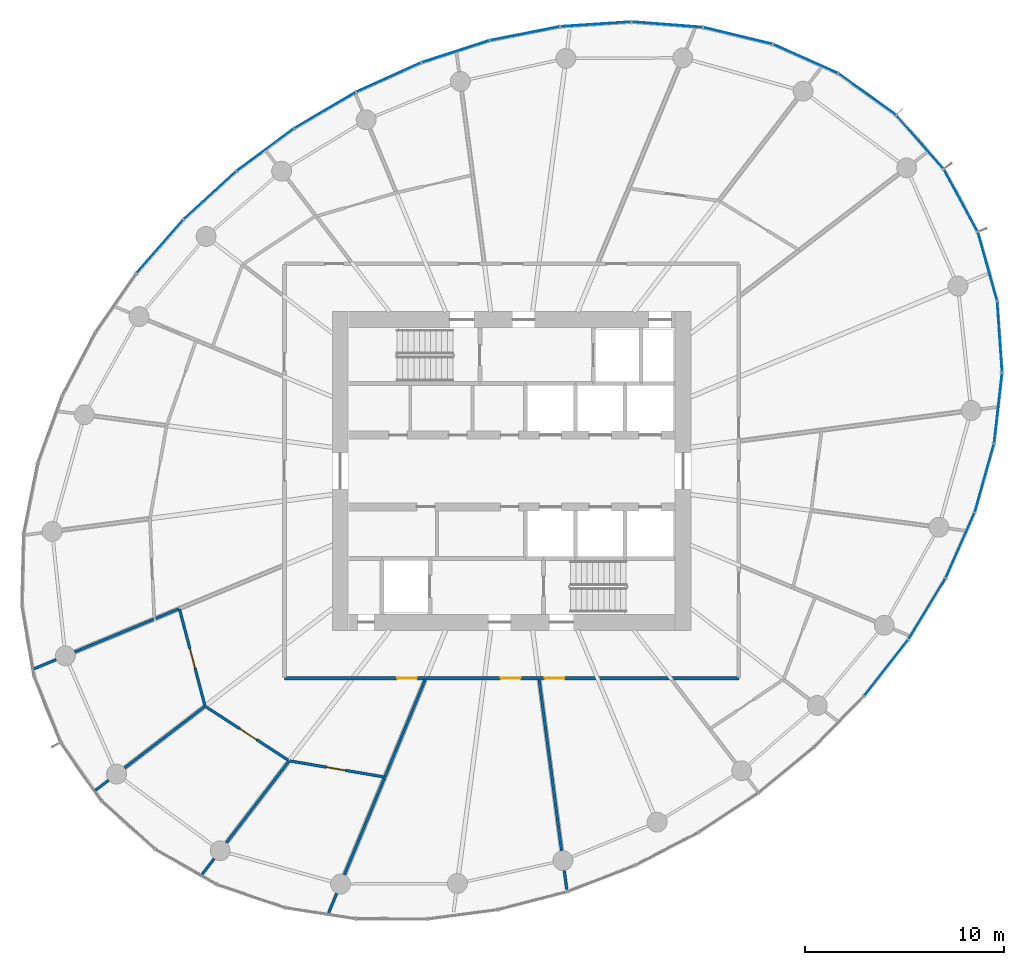
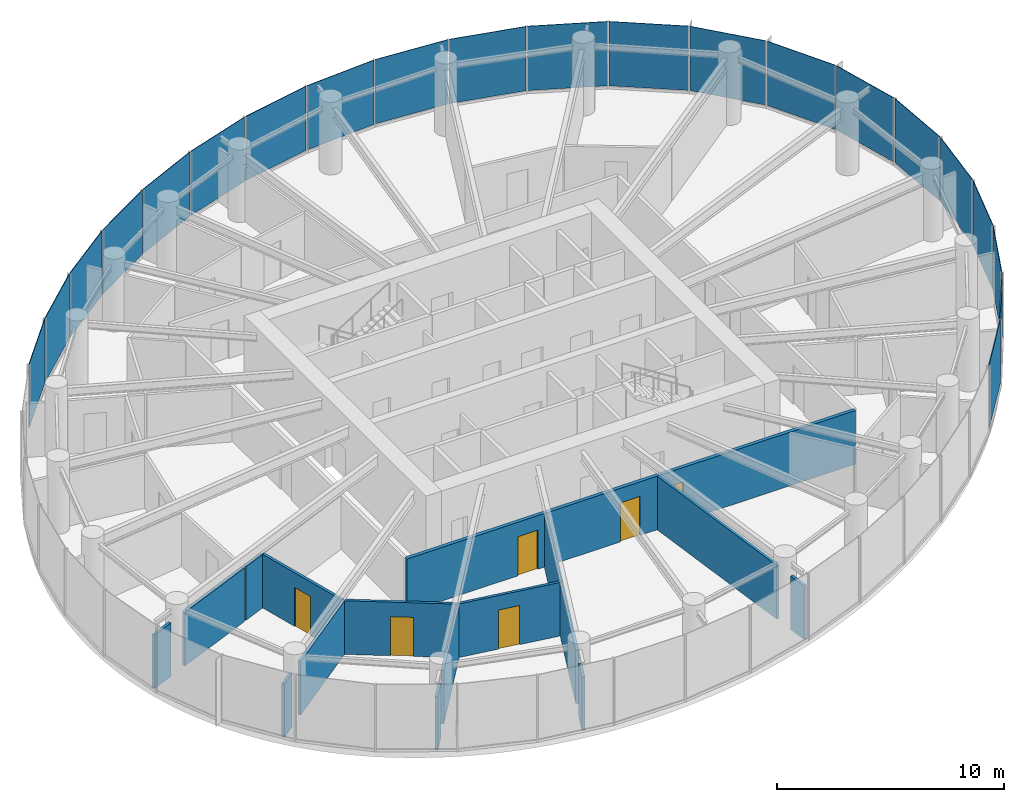
# One storey, part 8 of 15: 21 plates, 16 walls, 6 doors, 6 openings, 5 elements without a shape of their own.
"""IFC4 building model written with IfcOpenShell, lengths in metres."""

from ifc_helpers import new_model, si_unit, direction, frame, frame_2d, origin, origin_2d, place, context, subcontext, project, spatial, rectangle, extrude, source, transform, mapped, material, layer, layer_set, type_object, element, fill, aggregate, save


model = new_model("IFC4")

# Units and contexts
model_context = context("Model", 3, precision=1e-05, world=origin(), true_north=direction((0.0, 1.0)))
body_context = subcontext(model_context, "Body", "Model", "MODEL_VIEW")
ifc_project = project(units=[si_unit("LENGTHUNIT", "METRE"), si_unit("AREAUNIT", "SQUARE_METRE"), si_unit("VOLUMEUNIT", "CUBIC_METRE"), si_unit("PLANEANGLEUNIT", "RADIAN"), si_unit("MASSUNIT", "GRAM", prefix="KILO")], contexts=[model_context])

# Site, building, storey
site_placement = place(None, origin())
site = spatial("IfcSite", under=ifc_project, at=site_placement, CompositionType="ELEMENT")
building_placement = place(site_placement, origin())
building = spatial("IfcBuilding", under=site, at=building_placement, Name="Spindrift Exchange Tower", CompositionType="ELEMENT")
storey_placement = place(building_placement, frame((0.0, 0.0, 172.10009765625)))
storey = spatial("IfcBuildingStorey", under=building, at=storey_placement, Name="L41", CompositionType="ELEMENT", Elevation=172.10009765625)

# Curtain wall, plates
ifc_material_1 = material(Name="Fritted laminated glass with bronze frame", Category="glass")
ifc_layer_1 = layer(ifc_material_1, 0.179931640625)
ifc_layer_set_1 = layer_set([ifc_layer_1], Name="ZONE 3 BRONZE FRITTED WALL")
curtain_wall_type = type_object("IfcCurtainWallType", Name="ZONE 3 BRONZE FRITTED WALL", PredefinedType="NOTDEFINED", material=ifc_layer_set_1)
curtain_wall_1_placement = place(storey_placement, origin())
curtain_wall_1 = element("IfcCurtainWall", 1, at=curtain_wall_1_placement, inside=storey, type_object=curtain_wall_type, Name="L41 Zone 3 Bronze Fritted Wall run 2", PredefinedType="NOTDEFINED")
ifc_material_2 = material(Name="Bronze fritted laminated glass, open frit", Category="glass")
ifc_layer_2 = layer(ifc_material_2, 0.031982421875)
ifc_layer_set_2 = layer_set([ifc_layer_2], Name="ZONE 3 BRONZE FRITTED WALL PANEL OPEN FRIT 600")
plate_type_1 = type_object("IfcPlateType", Name="ZONE 3 BRONZE FRITTED WALL PANEL OPEN FRIT 600", PredefinedType="CURTAIN_PANEL", material=ifc_layer_set_2)
shared_shape_1 = source(origin(), body_context, "Body", "SweptSolid", [
    extrude(rectangle(XDim=3.531005859375, YDim=0.031982421875, at=origin_2d()), origin(), (0.0, 0.0, 1.0), 3.449951171875),
])
plate_1_placement = place(storey_placement, frame((42.63720703125, 66.1025390625, 0.1298828125), z_axis=(0.0, 0.0, 1.0), x_axis=(-0.862212346793, -0.506547005754, 0.0)))
plate_1 = element("IfcPlate", 2, at=plate_1_placement, type_object=plate_type_1, Name="L41 panel CW-3.10", PredefinedType="CURTAIN_PANEL", context=body_context, shape_type="MappedRepresentation", body=[
    mapped(shared_shape_1, transform((0.0, 0.0, 0.0), scale=1.0)),
])
ifc_layer_3 = layer(ifc_material_2, 0.031982421875)
ifc_layer_set_3 = layer_set([ifc_layer_3], Name="ZONE 3 BRONZE FRITTED WALL PANEL OPEN FRIT 360")
plate_type_2 = type_object("IfcPlateType", Name="ZONE 3 BRONZE FRITTED WALL PANEL OPEN FRIT 360", PredefinedType="CURTAIN_PANEL", material=ifc_layer_set_3)
shared_shape_2 = source(origin(), body_context, "Body", "SweptSolid", [
    extrude(rectangle(XDim=3.531005859375, YDim=0.031982421875, at=origin_2d()), origin(), (0.0, 0.0, 1.0), 3.449951171875),
])
plate_2_placement = place(storey_placement, frame((36.86083984375, 61.834716796875, 0.1298828125), z_axis=(0.0, 0.0, 1.0), x_axis=(-0.737259649647, -0.67560950926, 0.0)))
plate_2 = element("IfcPlate", 3, at=plate_2_placement, type_object=plate_type_2, Name="L41 panel CW-3.12", PredefinedType="CURTAIN_PANEL", context=body_context, shape_type="MappedRepresentation", body=[
    mapped(shared_shape_2, transform((0.0, 0.0, 0.0), scale=1.0)),
])
shared_shape_3 = source(origin(), body_context, "Body", "SweptSolid", [
    extrude(rectangle(XDim=3.53076171875, YDim=0.031982421875, at=origin_2d()), origin(), (0.0, 0.0, 1.0), 3.449951171875),
])
plate_3_placement = place(storey_placement, frame((45.830078125, 67.755859375, 0.1298828125), z_axis=(0.0, 0.0, 1.0), x_axis=(-0.911289761952, -0.411765673365, 0.0)))
plate_3 = element("IfcPlate", 4, at=plate_3_placement, type_object=plate_type_2, Name="L41 panel CW-3.9", PredefinedType="CURTAIN_PANEL", context=body_context, shape_type="MappedRepresentation", body=[
    mapped(shared_shape_3, transform((0.0, 0.0, 0.0), scale=1.0)),
])
shared_shape_4 = source(origin(), body_context, "Body", "SweptSolid", [
    extrude(rectangle(XDim=3.530517578125, YDim=0.031982421875, at=origin_2d()), origin(), (0.0, 0.0, 1.0), 3.449951171875),
])
plate_4_placement = place(storey_placement, frame((49.18359375, 69.052001953125, 0.1298828125), z_axis=(0.0, 0.0, 1.0), x_axis=(-0.951348411051, -0.308117186783, 0.0)))
plate_4 = element("IfcPlate", 5, at=plate_4_placement, type_object=plate_type_1, Name="L41 panel CW-3.8", PredefinedType="CURTAIN_PANEL", context=body_context, shape_type="MappedRepresentation", body=[
    mapped(shared_shape_4, transform((0.0, 0.0, 0.0), scale=1.0)),
])

# Curtain wall, plate
curtain_wall_2_placement = place(storey_placement, origin())
curtain_wall_2 = element("IfcCurtainWall", 6, at=curtain_wall_2_placement, inside=storey, type_object=curtain_wall_type, Name="L41 Zone 3 Bronze Fritted Wall run 6", PredefinedType="NOTDEFINED")
plate_5_placement = place(storey_placement, frame((70.80126953125, 38.119384765625, 0.1298828125), z_axis=(0.0, 0.0, 1.0), x_axis=(0.616340663488, 0.787479641979, 0.0)))
plate_5 = element("IfcPlate", 7, at=plate_5_placement, type_object=plate_type_1, Name="L41 panel CW-3.34", PredefinedType="CURTAIN_PANEL", context=body_context, shape_type="MappedRepresentation", body=[
    mapped(shared_shape_4, transform((0.0, 0.0, 0.0), scale=1.0)),
])

curtain_wall_3_placement = place(storey_placement, origin())
curtain_wall_3 = element("IfcCurtainWall", 8, at=curtain_wall_3_placement, inside=storey, type_object=curtain_wall_type, Name="L41 Zone 3 Bronze Fritted Wall run 3", PredefinedType="NOTDEFINED")
ifc_layer_4 = layer(ifc_material_2, 0.031982421875)
ifc_layer_set_4 = layer_set([ifc_layer_4], Name="ZONE 3 BRONZE FRITTED WALL PANEL OPEN FRIT 480")
plate_type_3 = type_object("IfcPlateType", Name="ZONE 3 BRONZE FRITTED WALL PANEL OPEN FRIT 480", PredefinedType="CURTAIN_PANEL", material=ifc_layer_set_4)
shared_shape_5 = source(origin(), body_context, "Body", "SweptSolid", [
    extrude(rectangle(XDim=3.530517578125, YDim=0.031982421875, at=origin_2d()), origin(), (0.0, 0.0, 1.0), 3.449951171875),
])
plate_6_placement = place(storey_placement, frame((34.345703125, 59.26513671875, 0.1298828125), z_axis=(0.0, 0.0, 1.0), x_axis=(-0.659661998894, -0.751562404073, 0.0)))
plate_6 = element("IfcPlate", 9, at=plate_6_placement, type_object=plate_type_3, Name="L41 panel CW-3.13", PredefinedType="CURTAIN_PANEL", context=body_context, shape_type="MappedRepresentation", body=[
    mapped(shared_shape_5, transform((0.0, 0.0, 0.0), scale=1.0)),
])
aggregate(curtain_wall_3, [plate_6])

# Plate
shared_shape_6 = source(origin(), body_context, "Body", "SweptSolid", [
    extrude(rectangle(XDim=3.531005859375, YDim=0.031982421875, at=origin_2d()), origin(), (0.0, 0.0, 1.0), 3.449951171875),
])
plate_7_placement = place(storey_placement, frame((39.636474609375, 64.120849609375, 0.1298828125), z_axis=(0.0, 0.0, 1.0), x_axis=(-0.804373561391, -0.594123870699, 0.0)))
plate_7 = element("IfcPlate", 10, at=plate_7_placement, type_object=plate_type_3, Name="L41 panel CW-3.11", PredefinedType="CURTAIN_PANEL", context=body_context, shape_type="MappedRepresentation", body=[
    mapped(shared_shape_6, transform((0.0, 0.0, 0.0), scale=1.0)),
])

# Curtain wall, plate
curtain_wall_4_placement = place(storey_placement, origin())
curtain_wall_4 = element("IfcCurtainWall", 11, at=curtain_wall_4_placement, inside=storey, type_object=curtain_wall_type, Name="L41 Zone 3 Bronze Fritted Wall run 1", PredefinedType="NOTDEFINED")
shared_shape_7 = source(origin(), body_context, "Body", "SweptSolid", [
    extrude(rectangle(XDim=3.52490234375, YDim=0.031982421875, at=origin_2d()), origin(), (0.0, 0.0, 1.0), 3.449951171875),
])
plate_8_placement = place(storey_placement, frame((72.49853515625, 64.50439453125, 0.1298828125), z_axis=(0.0, 0.0, 1.0), x_axis=(-0.662686711481, 0.748896736824, 0.0)))
plate_8 = element("IfcPlate", 12, at=plate_8_placement, type_object=plate_type_3, Name="L41 panel CW-3.1", PredefinedType="CURTAIN_PANEL", context=body_context, shape_type="MappedRepresentation", body=[
    mapped(shared_shape_7, transform((0.0, 0.0, 0.0), scale=1.0)),
])

curtain_wall_5_placement = place(storey_placement, origin())
curtain_wall_5 = element("IfcCurtainWall", 13, at=curtain_wall_5_placement, inside=storey, type_object=curtain_wall_type, Name="L41 Zone 3 Bronze Fritted Wall run 7", PredefinedType="NOTDEFINED")
shared_shape_8 = source(origin(), body_context, "Body", "SweptSolid", [
    extrude(rectangle(XDim=3.525634765625, YDim=0.031982421875, at=origin_2d()), origin(), (0.0, 0.0, 1.0), 3.449951171875),
])
plate_9_placement = place(storey_placement, frame((75.884521484375, 58.264892578125, 0.1298828125), z_axis=(0.0, 0.0, 1.0), x_axis=(-0.270136675516, 0.962821985905, 0.0)))
plate_9 = element("IfcPlate", 14, at=plate_9_placement, type_object=plate_type_2, Name="L41 panel CW-3.40", PredefinedType="CURTAIN_PANEL", context=body_context, shape_type="MappedRepresentation", body=[
    mapped(shared_shape_8, transform((0.0, 0.0, 0.0), scale=1.0)),
])

# Plate
shared_shape_9 = source(origin(), body_context, "Body", "SweptSolid", [
    extrude(rectangle(XDim=3.528076171875, YDim=0.031982421875, at=origin_2d()), origin(), (0.0, 0.0, 1.0), 3.449951171875),
])
plate_10_placement = place(storey_placement, frame((63.357421875, 69.842529296875, 0.1298828125), z_axis=(0.0, 0.0, 1.0), x_axis=(-0.971892011529, 0.235427096841, 0.0)))
plate_10 = element("IfcPlate", 15, at=plate_10_placement, type_object=plate_type_2, Name="L41 panel CW-3.4", PredefinedType="CURTAIN_PANEL", context=body_context, shape_type="MappedRepresentation", body=[
    mapped(shared_shape_9, transform((0.0, 0.0, 0.0), scale=1.0)),
])

shared_shape_10 = source(origin(), body_context, "Body", "SweptSolid", [
    extrude(rectangle(XDim=3.529052734375, YDim=0.031982421875, at=origin_2d()), origin(), (0.0, 0.0, 1.0), 3.449951171875),
])
plate_11_placement = place(storey_placement, frame((75.724853515625, 47.63818359375, 0.1298828125), z_axis=(0.0, 0.0, 1.0), x_axis=(0.270733180314, 0.962654426613, 0.0)))
plate_11 = element("IfcPlate", 16, at=plate_11_placement, type_object=plate_type_2, Name="L41 panel CW-3.37", PredefinedType="CURTAIN_PANEL", context=body_context, shape_type="MappedRepresentation", body=[
    mapped(shared_shape_10, transform((0.0, 0.0, 0.0), scale=1.0)),
])

shared_shape_11 = source(origin(), body_context, "Body", "SweptSolid", [
    extrude(rectangle(XDim=3.5302734375, YDim=0.031982421875, at=origin_2d()), origin(), (0.0, 0.0, 1.0), 3.449951171875),
])
plate_12_placement = place(storey_placement, frame((52.662353515625, 69.955078125, 0.1298828125), z_axis=(0.0, 0.0, 1.0), x_axis=(-0.981069905623, -0.193653918838, 0.0)))
plate_12 = element("IfcPlate", 17, at=plate_12_placement, type_object=plate_type_2, Name="L41 panel CW-3.7", PredefinedType="CURTAIN_PANEL", context=body_context, shape_type="MappedRepresentation", body=[
    mapped(shared_shape_11, transform((0.0, 0.0, 0.0), scale=1.0)),
])

aggregate(curtain_wall_1, [plate_12, plate_4, plate_3, plate_1, plate_7, plate_2])

shared_shape_12 = source(origin(), body_context, "Body", "SweptSolid", [
    extrude(rectangle(XDim=3.528076171875, YDim=0.031982421875, at=origin_2d()), origin(), (0.0, 0.0, 1.0), 3.449951171875),
])
plate_13_placement = place(storey_placement, frame((76.415283203125, 51.158203125, 0.1298828125), z_axis=(0.0, 0.0, 1.0), x_axis=(0.112974308243, 0.993597909457, 0.0)))
plate_13 = element("IfcPlate", 18, at=plate_13_placement, type_object=plate_type_3, Name="L41 panel CW-3.38", PredefinedType="CURTAIN_PANEL", context=body_context, shape_type="MappedRepresentation", body=[
    mapped(shared_shape_12, transform((0.0, 0.0, 0.0), scale=1.0)),
])

shared_shape_13 = source(origin(), body_context, "Body", "SweptSolid", [
    extrude(rectangle(XDim=3.527099609375, YDim=0.031982421875, at=origin_2d()), origin(), (0.0, 0.0, 1.0), 3.449951171875),
])
plate_14_placement = place(storey_placement, frame((76.494384765625, 54.73974609375, 0.1298828125), z_axis=(0.0, 0.0, 1.0), x_axis=(-0.069058284552, 0.997612626892, 0.0)))
plate_14 = element("IfcPlate", 19, at=plate_14_placement, type_object=plate_type_2, Name="L41 panel CW-3.39", PredefinedType="CURTAIN_PANEL", context=body_context, shape_type="MappedRepresentation", body=[
    mapped(shared_shape_13, transform((0.0, 0.0, 0.0), scale=1.0)),
])

shared_shape_14 = source(origin(), body_context, "Body", "SweptSolid", [
    extrude(rectangle(XDim=3.52978515625, YDim=0.031982421875, at=origin_2d()), origin(), (0.0, 0.0, 1.0), 3.449951171875),
])
plate_15_placement = place(storey_placement, frame((74.5087890625, 44.260009765625, 0.1298828125), z_axis=(0.0, 0.0, 1.0), x_axis=(0.405025099277, 0.914305566512, 0.0)))
plate_15 = element("IfcPlate", 20, at=plate_15_placement, type_object=plate_type_1, Name="L41 panel CW-3.36", PredefinedType="CURTAIN_PANEL", context=body_context, shape_type="MappedRepresentation", body=[
    mapped(shared_shape_14, transform((0.0, 0.0, 0.0), scale=1.0)),
])

shared_shape_15 = source(origin(), body_context, "Body", "SweptSolid", [
    extrude(rectangle(XDim=3.52978515625, YDim=0.031982421875, at=origin_2d()), origin(), (0.0, 0.0, 1.0), 3.449951171875),
])
plate_16_placement = place(storey_placement, frame((56.22412109375, 70.4228515625, 0.1298828125), z_axis=(0.0, 0.0, 1.0), x_axis=(-0.997810134977, -0.066143287926, 0.0)))
plate_16 = element("IfcPlate", 21, at=plate_16_placement, type_object=plate_type_3, Name="L41 panel CW-3.6", PredefinedType="CURTAIN_PANEL", context=body_context, shape_type="MappedRepresentation", body=[
    mapped(shared_shape_15, transform((0.0, 0.0, 0.0), scale=1.0)),
])

shared_shape_16 = source(origin(), body_context, "Body", "SweptSolid", [
    extrude(rectangle(XDim=3.529296875, YDim=0.031982421875, at=origin_2d()), origin(), (0.0, 0.0, 1.0), 3.449951171875),
])
plate_17_placement = place(storey_placement, frame((59.814453125, 70.404052734375, 0.1298828125), z_axis=(0.0, 0.0, 1.0), x_axis=(-0.997059710919, 0.076628538174, 0.0)))
plate_17 = element("IfcPlate", 22, at=plate_17_placement, type_object=plate_type_1, Name="L41 panel CW-3.5", PredefinedType="CURTAIN_PANEL", context=body_context, shape_type="MappedRepresentation", body=[
    mapped(shared_shape_16, transform((0.0, 0.0, 0.0), scale=1.0)),
])

shared_shape_17 = source(origin(), body_context, "Body", "SweptSolid", [
    extrude(rectangle(XDim=3.525634765625, YDim=0.031982421875, at=origin_2d()), origin(), (0.0, 0.0, 1.0), 3.449951171875),
])
plate_18_placement = place(storey_placement, frame((69.848876953125, 66.9013671875, 0.1298828125), z_axis=(0.0, 0.0, 1.0), x_axis=(-0.811321018356, 0.584600893921, 0.0)))
plate_18 = element("IfcPlate", 23, at=plate_18_placement, type_object=plate_type_3, Name="L41 panel CW-3.2", PredefinedType="CURTAIN_PANEL", context=body_context, shape_type="MappedRepresentation", body=[
    mapped(shared_shape_17, transform((0.0, 0.0, 0.0), scale=1.0)),
])

shared_shape_18 = source(origin(), body_context, "Body", "SweptSolid", [
    extrude(rectangle(XDim=3.5302734375, YDim=0.031982421875, at=origin_2d()), origin(), (0.0, 0.0, 1.0), 3.449951171875),
])
plate_19_placement = place(storey_placement, frame((72.84521484375, 41.075927734375, 0.1298828125), z_axis=(0.0, 0.0, 1.0), x_axis=(0.519067171721, 0.854733450405, 0.0)))
plate_19 = element("IfcPlate", 24, at=plate_19_placement, type_object=plate_type_1, Name="L41 panel CW-3.35", PredefinedType="CURTAIN_PANEL", context=body_context, shape_type="MappedRepresentation", body=[
    mapped(shared_shape_18, transform((0.0, 0.0, 0.0), scale=1.0)),
])

aggregate(curtain_wall_2, [plate_5, plate_19, plate_15])

shared_shape_19 = source(origin(), body_context, "Body", "SweptSolid", [
    extrude(rectangle(XDim=3.52490234375, YDim=0.031982421875, at=origin_2d()), origin(), (0.0, 0.0, 1.0), 3.449951171875),
])
plate_20_placement = place(storey_placement, frame((74.544189453125, 61.5771484375, 0.1298828125), z_axis=(0.0, 0.0, 1.0), x_axis=(-0.475493705344, 0.879719123458, 0.0)))
plate_20 = element("IfcPlate", 25, at=plate_20_placement, type_object=plate_type_1, Name="L41 panel CW-3.41", PredefinedType="CURTAIN_PANEL", context=body_context, shape_type="MappedRepresentation", body=[
    mapped(shared_shape_19, transform((0.0, 0.0, 0.0), scale=1.0)),
])

aggregate(curtain_wall_5, [plate_11, plate_13, plate_14, plate_9, plate_20])

shared_shape_20 = source(origin(), body_context, "Body", "SweptSolid", [
    extrude(rectangle(XDim=3.527099609375, YDim=0.031982421875, at=origin_2d()), origin(), (0.0, 0.0, 1.0), 3.449951171875),
])
plate_21_placement = place(storey_placement, frame((66.748046875, 68.685791015625, 0.1298828125), z_axis=(0.0, 0.0, 1.0), x_axis=(-0.913101944988, 0.407731330731, 0.0)))
plate_21 = element("IfcPlate", 26, at=plate_21_placement, type_object=plate_type_3, Name="L41 panel CW-3.3", PredefinedType="CURTAIN_PANEL", context=body_context, shape_type="MappedRepresentation", body=[
    mapped(shared_shape_20, transform((0.0, 0.0, 0.0), scale=1.0)),
])

aggregate(curtain_wall_4, [plate_8, plate_18, plate_21, plate_10, plate_17, plate_16])

# Wall, openings, doors
ifc_material_3 = material(Name="Fire-rated plasterboard partition", Category="gypsum")
ifc_layer_5 = layer(ifc_material_3, 0.179931640625)
ifc_layer_set_5 = layer_set([ifc_layer_5], Name="W-CORR-180")
wall_type_1 = type_object("IfcWallType", Name="W-CORR-180", PredefinedType="PARTITIONING", material=ifc_layer_set_5)
wall_1_placement = place(storey_placement, frame((63.39990234375, 37.60009765625, 0.0), z_axis=(0.0, 0.0, 1.0), x_axis=(-1.0, 0.0, 0.0)))
wall_1 = element("IfcWall", 27, at=wall_1_placement, inside=storey, type_object=wall_type_1, Name="L41 Partition wall 28", PredefinedType="PARTITIONING", context=body_context, shape_type="SweptSolid", body=[
    extrude(rectangle(XDim=22.7998046875, YDim=0.179931640625, at=frame_2d((11.39990234375, 0.0))), origin(), (0.0, 0.0, 1.0), 2.8798828125),
])
opening_1_placement = place(wall_1_placement, frame((16.14990234375, 0.0, 0.0)))
opening_1 = element("IfcOpeningElement", 28, at=opening_1_placement, cuts=wall_1, Name="Opening L41-D26", PredefinedType="OPENING", context=body_context, shape_type="SweptSolid", body=[
    extrude(rectangle(XDim=1.0, YDim=2.10009765625, at=frame_2d((0.5, 1.050048828125))), frame((0.0, 0.099853515625, 0.0), z_axis=(0.0, -1.0, 0.0), x_axis=(1.0, 0.0, 0.0)), (0.0, 0.0, 1.0), 0.199951171875),
])
opening_2_placement = place(wall_1_placement, frame((10.949951171875, 0.0, 0.0)))
opening_2 = element("IfcOpeningElement", 29, at=opening_2_placement, cuts=wall_1, Name="Opening L41-D30", PredefinedType="OPENING", context=body_context, shape_type="SweptSolid", body=[
    extrude(rectangle(XDim=1.0, YDim=2.10009765625, at=frame_2d((0.5, 1.050048828125))), frame((0.0, 0.099853515625, 0.0), z_axis=(0.0, -1.0, 0.0), x_axis=(1.0, 0.0, 0.0)), (0.0, 0.0, 1.0), 0.199951171875),
])
opening_3_placement = place(wall_1_placement, frame((8.75, 0.0, 0.0)))
opening_3 = element("IfcOpeningElement", 30, at=opening_3_placement, cuts=wall_1, Name="Opening L41-D31", PredefinedType="OPENING", context=body_context, shape_type="SweptSolid", body=[
    extrude(rectangle(XDim=1.0, YDim=2.10009765625, at=frame_2d((0.5, 1.050048828125))), frame((0.0, 0.099853515625, 0.0), z_axis=(0.0, -1.0, 0.0), x_axis=(1.0, 0.0, 0.0)), (0.0, 0.0, 1.0), 0.199951171875),
])
ifc_material_4 = material(Name="Timber-core fire door", Category="wood")
door_type = type_object("IfcDoorType", Name="DR-ROOM-1000", OperationType="NOTDEFINED", PredefinedType="DOOR", material=ifc_material_4)
shared_shape_21 = source(origin(), body_context, "Body", "SweptSolid", [
    extrude(rectangle(XDim=1.0, YDim=2.10009765625, at=frame_2d((0.5, 1.050048828125))), frame((0.0, 0.02490234375, 0.0), z_axis=(0.0, -1.0, 0.0), x_axis=(1.0, 0.0, 0.0)), (0.0, 0.0, 1.0), 0.050048828125),
])
door_1_placement = place(opening_1_placement, origin())
door_1 = element("IfcDoor", 31, at=door_1_placement, inside=storey, type_object=door_type, Name="L41 Door 26", OperationType="SINGLE_SWING_RIGHT", OverallHeight=2.10009765625, OverallWidth=1.0, PredefinedType="DOOR", context=body_context, shape_type="MappedRepresentation", body=[
    mapped(shared_shape_21, transform((0.0, 0.0, 0.0), scale=1.0)),
])
fill(opening_1, door_1)
door_2_placement = place(opening_2_placement, origin())
door_2 = element("IfcDoor", 32, at=door_2_placement, inside=storey, type_object=door_type, Name="L41 Door 30", OperationType="SINGLE_SWING_RIGHT", OverallHeight=2.10009765625, OverallWidth=1.0, PredefinedType="DOOR", context=body_context, shape_type="MappedRepresentation", body=[
    mapped(shared_shape_21, transform((0.0, 0.0, 0.0), scale=1.0)),
])
fill(opening_2, door_2)
door_3_placement = place(opening_3_placement, origin())
door_3 = element("IfcDoor", 33, at=door_3_placement, inside=storey, type_object=door_type, Name="L41 Door 31", OperationType="SINGLE_SWING_LEFT", OverallHeight=2.10009765625, OverallWidth=1.0, PredefinedType="DOOR", context=body_context, shape_type="MappedRepresentation", body=[
    mapped(shared_shape_21, transform((0.0, 0.0, 0.0), scale=1.0)),
])
fill(opening_3, door_3)

# Walls
ifc_layer_6 = layer(ifc_material_3, 0.139892578125)
ifc_layer_set_6 = layer_set([ifc_layer_6], Name="W-PART-140")
wall_type_2 = type_object("IfcWallType", Name="W-PART-140", PredefinedType="PARTITIONING", material=ifc_layer_set_6)
wall_2_placement = place(storey_placement, frame((53.381103515625, 37.510009765625, 0.0), z_axis=(0.0, 0.0, 1.0), x_axis=(0.130507901859, -0.991447269174, 0.0)))
element("IfcWall", 34, at=wall_2_placement, inside=storey, type_object=wall_type_2, Name="L41 Partition wall 31", PredefinedType="PARTITIONING", context=body_context, shape_type="SweptSolid", body=[
    extrude(rectangle(XDim=8.63525390625, YDim=0.139892578125, at=frame_2d((4.317626953125, 0.0))), origin(), (0.0, 0.0, 1.0), 2.8798828125),
])
wall_3_placement = place(storey_placement, frame((47.65478515625, 37.510009765625, 0.0), z_axis=(0.0, 0.0, 1.0), x_axis=(-0.382658470946, -0.923889871474, 0.0)))
element("IfcWall", 35, at=wall_3_placement, inside=storey, type_object=wall_type_2, Name="L41 Partition wall 38", PredefinedType="PARTITIONING", context=body_context, shape_type="SweptSolid", body=[
    extrude(rectangle(XDim=5.273193359375, YDim=0.139892578125, at=frame_2d((2.63671875, 0.0))), origin(), (0.0, 0.0, 1.0), 2.8798828125),
])
wall_4_placement = place(storey_placement, frame((45.62548828125, 32.6103515625, 0.0), z_axis=(0.0, 0.0, 1.0), x_axis=(-0.382699142992, -0.9238730248, 0.0)))
element("IfcWall", 36, at=wall_4_placement, inside=storey, type_object=wall_type_2, Name="L41 Partition wall 39", PredefinedType="PARTITIONING", context=body_context, shape_type="SweptSolid", body=[
    extrude(rectangle(XDim=5.2763671875, YDim=0.139892578125, at=frame_2d((2.63818359375, 0.0))), origin(), (0.0, 0.0, 1.0), 2.8798828125),
])
wall_5_placement = place(storey_placement, frame((40.83740234375, 33.45263671875, 0.0), z_axis=(0.0, 0.0, 1.0), x_axis=(-0.608781556018, -0.793337895888, 0.0)))
element("IfcWall", 37, at=wall_5_placement, inside=storey, type_object=wall_type_2, Name="L41 Partition wall 40", PredefinedType="PARTITIONING", context=body_context, shape_type="SweptSolid", body=[
    extrude(rectangle(XDim=5.182861328125, YDim=0.139892578125, at=frame_2d((2.59130859375, 0.0))), origin(), (0.0, 0.0, 1.0), 2.8798828125),
])
wall_6_placement = place(storey_placement, frame((36.61376953125, 36.193603515625, 0.0), z_axis=(0.0, 0.0, 1.0), x_axis=(-0.793380951851, -0.608725443234, 0.0)))
element("IfcWall", 38, at=wall_6_placement, inside=storey, type_object=wall_type_2, Name="L41 Partition wall 41", PredefinedType="PARTITIONING", context=body_context, shape_type="SweptSolid", body=[
    extrude(rectangle(XDim=5.091552734375, YDim=0.139892578125, at=frame_2d((2.5458984375, 0.0))), origin(), (0.0, 0.0, 1.0), 2.8798828125),
])

# Wall, opening, door
wall_7_placement = place(storey_placement, frame((36.60595703125, 36.22265625, 0.0), z_axis=(0.0, 0.0, 1.0), x_axis=(-0.254531708775, 0.967064428685, 0.0)))
wall_7 = element("IfcWall", 39, at=wall_7_placement, inside=storey, type_object=wall_type_2, Name="L41 Partition wall 42", PredefinedType="PARTITIONING", context=body_context, shape_type="SweptSolid", body=[
    extrude(rectangle(XDim=5.005859375, YDim=0.139892578125, at=frame_2d((2.5029296875, 0.0))), origin(), (0.0, 0.0, 1.0), 2.8798828125),
])
opening_4_placement = place(wall_7_placement, frame((1.955810546875, 0.0, 0.0)))
opening_4 = element("IfcOpeningElement", 40, at=opening_4_placement, cuts=wall_7, Name="Opening L41-D27", PredefinedType="OPENING", context=body_context, shape_type="SweptSolid", body=[
    extrude(rectangle(XDim=1.0, YDim=2.10009765625, at=frame_2d((0.5, 1.050048828125))), frame((0.0, 0.079833984375, 0.0), z_axis=(0.0, -1.0, 0.0), x_axis=(1.0, 0.0, 0.0)), (0.0, 0.0, 1.0), 0.159912109375),
])
door_4_placement = place(opening_4_placement, origin())
door_4 = element("IfcDoor", 41, at=door_4_placement, inside=storey, type_object=door_type, Name="L41 Door 27", OperationType="SINGLE_SWING_LEFT", OverallHeight=2.10009765625, OverallWidth=1.0, PredefinedType="DOOR", context=body_context, shape_type="MappedRepresentation", body=[
    mapped(shared_shape_21, transform((0.0, 0.0, 0.0), scale=1.0)),
])
fill(opening_4, door_4)

wall_8_placement = place(storey_placement, frame((40.778564453125, 33.490966796875, 0.0), z_axis=(0.0, 0.0, 1.0), x_axis=(-0.83885932545, 0.544348263619, 0.0)))
wall_8 = element("IfcWall", 42, at=wall_8_placement, inside=storey, type_object=wall_type_2, Name="L41 Partition wall 44", PredefinedType="PARTITIONING", context=body_context, shape_type="SweptSolid", body=[
    extrude(rectangle(XDim=4.934814453125, YDim=0.139892578125, at=frame_2d((2.46728515625, 0.0))), origin(), (0.0, 0.0, 1.0), 2.8798828125),
])
opening_5_placement = place(wall_8_placement, frame((1.885009765625, 0.0, 0.0)))
opening_5 = element("IfcOpeningElement", 43, at=opening_5_placement, cuts=wall_8, Name="Opening L41-D28", PredefinedType="OPENING", context=body_context, shape_type="SweptSolid", body=[
    extrude(rectangle(XDim=1.0, YDim=2.10009765625, at=frame_2d((0.5, 1.050048828125))), frame((0.0, 0.079833984375, 0.0), z_axis=(0.0, -1.0, 0.0), x_axis=(1.0, 0.0, 0.0)), (0.0, 0.0, 1.0), 0.159912109375),
])
door_5_placement = place(opening_5_placement, origin())
door_5 = element("IfcDoor", 44, at=door_5_placement, inside=storey, type_object=door_type, Name="L41 Door 28", OperationType="SINGLE_SWING_RIGHT", OverallHeight=2.10009765625, OverallWidth=1.0, PredefinedType="DOOR", context=body_context, shape_type="MappedRepresentation", body=[
    mapped(shared_shape_21, transform((0.0, 0.0, 0.0), scale=1.0)),
])
fill(opening_5, door_5)

wall_9_placement = place(storey_placement, frame((45.607421875, 32.64306640625, 0.0), z_axis=(0.0, 0.0, 1.0), x_axis=(-0.985896840753, 0.167354173514, 0.0)))
wall_9 = element("IfcWall", 45, at=wall_9_placement, inside=storey, type_object=wall_type_2, Name="L41 Partition wall 45", PredefinedType="PARTITIONING", context=body_context, shape_type="SweptSolid", body=[
    extrude(rectangle(XDim=4.808349609375, YDim=0.139892578125, at=frame_2d((2.404296875, 0.0))), origin(), (0.0, 0.0, 1.0), 2.8798828125),
])
opening_6_placement = place(wall_9_placement, frame((1.9580078125, 0.0, 0.0)))
opening_6 = element("IfcOpeningElement", 46, at=opening_6_placement, cuts=wall_9, Name="Opening L41-D29", PredefinedType="OPENING", context=body_context, shape_type="SweptSolid", body=[
    extrude(rectangle(XDim=1.0, YDim=2.10009765625, at=frame_2d((0.5, 1.050048828125))), frame((0.0, 0.079833984375, 0.0), z_axis=(0.0, -1.0, 0.0), x_axis=(1.0, 0.0, 0.0)), (0.0, 0.0, 1.0), 0.159912109375),
])
door_6_placement = place(opening_6_placement, origin())
door_6 = element("IfcDoor", 47, at=door_6_placement, inside=storey, type_object=door_type, Name="L41 Door 29", OperationType="SINGLE_SWING_LEFT", OverallHeight=2.10009765625, OverallWidth=1.0, PredefinedType="DOOR", context=body_context, shape_type="MappedRepresentation", body=[
    mapped(shared_shape_21, transform((0.0, 0.0, 0.0), scale=1.0)),
])
fill(opening_6, door_6)

# Walls
wall_10_placement = place(storey_placement, frame((34.040283203125, 40.560791015625, 0.0), z_axis=(0.0, 0.0, 1.0), x_axis=(-0.923886665857, -0.382666210491, 0.0)))
element("IfcWall", 48, at=wall_10_placement, inside=storey, type_object=wall_type_2, Name="L41 Partition wall 56", PredefinedType="PARTITIONING", context=body_context, shape_type="SweptSolid", body=[
    extrude(rectangle(XDim=4.297607421875, YDim=0.139892578125, at=frame_2d((2.14892578125, 0.0))), origin(), (0.0, 0.0, 1.0), 2.8798828125),
])
wall_11_placement = place(storey_placement, frame((35.29638671875, 41.0810546875, 0.0), z_axis=(0.0, 0.0, 1.0), x_axis=(-0.923914904854, -0.38259802481, 0.0)))
element("IfcWall", 49, at=wall_11_placement, inside=storey, type_object=wall_type_2, Name="L41 Partition wall 79", PredefinedType="PARTITIONING", context=body_context, shape_type="SweptSolid", body=[
    extrude(rectangle(XDim=1.255126953125, YDim=0.139892578125, at=frame_2d((0.62744140625, 0.0))), origin(), (0.0, 0.0, 1.0), 2.8798828125),
])
wall_12_placement = place(storey_placement, frame((29.13671875, 38.52978515625, 0.0), z_axis=(0.0, 0.0, 1.0), x_axis=(-0.923876703835, -0.382690261322, 0.0)))
element("IfcWall", 50, at=wall_12_placement, inside=storey, type_object=wall_type_2, Name="L41 Partition wall 81", PredefinedType="PARTITIONING", context=body_context, shape_type="SweptSolid", body=[
    extrude(rectangle(XDim=1.189208984375, YDim=0.139892578125, at=frame_2d((0.5947265625, 0.0))), origin(), (0.0, 0.0, 1.0), 2.8798828125),
])
wall_13_placement = place(storey_placement, frame((43.2197265625, 26.802490234375, 0.0), z_axis=(0.0, 0.0, 1.0), x_axis=(-0.382724096228, -0.923862687939, 0.0)))
element("IfcWall", 51, at=wall_13_placement, inside=storey, type_object=wall_type_2, Name="L41 Partition wall 82", PredefinedType="PARTITIONING", context=body_context, shape_type="SweptSolid", body=[
    extrude(rectangle(XDim=1.100341796875, YDim=0.139892578125, at=frame_2d((0.55029296875, 0.0))), origin(), (0.0, 0.0, 1.0), 2.8798828125),
])
wall_14_placement = place(storey_placement, frame((37.068115234375, 28.540283203125, 0.0), z_axis=(0.0, 0.0, 1.0), x_axis=(-0.608710939512, -0.793392079692, 0.0)))
element("IfcWall", 52, at=wall_14_placement, inside=storey, type_object=wall_type_2, Name="L41 Partition wall 84", PredefinedType="PARTITIONING", context=body_context, shape_type="SweptSolid", body=[
    extrude(rectangle(XDim=1.027099609375, YDim=0.139892578125, at=frame_2d((0.513671875, 0.0))), origin(), (0.0, 0.0, 1.0), 2.8798828125),
])
wall_15_placement = place(storey_placement, frame((54.639892578125, 27.948486328125, 0.0), z_axis=(0.0, 0.0, 1.0), x_axis=(0.130303682633, -0.991474129916, 0.0)))
element("IfcWall", 53, at=wall_15_placement, inside=storey, type_object=wall_type_2, Name="L41 Partition wall 86", PredefinedType="PARTITIONING", context=body_context, shape_type="SweptSolid", body=[
    extrude(rectangle(XDim=0.963134765625, YDim=0.139892578125, at=frame_2d((0.4814453125, 0.0))), origin(), (0.0, 0.0, 1.0), 2.8798828125),
])
wall_16_placement = place(storey_placement, frame((31.77392578125, 32.47998046875, 0.0), z_axis=(0.0, 0.0, 1.0), x_axis=(-0.793240633291, -0.608908283484, 0.0)))
element("IfcWall", 54, at=wall_16_placement, inside=storey, type_object=wall_type_2, Name="L41 Partition wall 90", PredefinedType="PARTITIONING", context=body_context, shape_type="SweptSolid", body=[
    extrude(rectangle(XDim=0.83837890625, YDim=0.139892578125, at=frame_2d((0.419189453125, 0.0))), origin(), (0.0, 0.0, 1.0), 2.8798828125),
])

save(model, "model.ifc")
